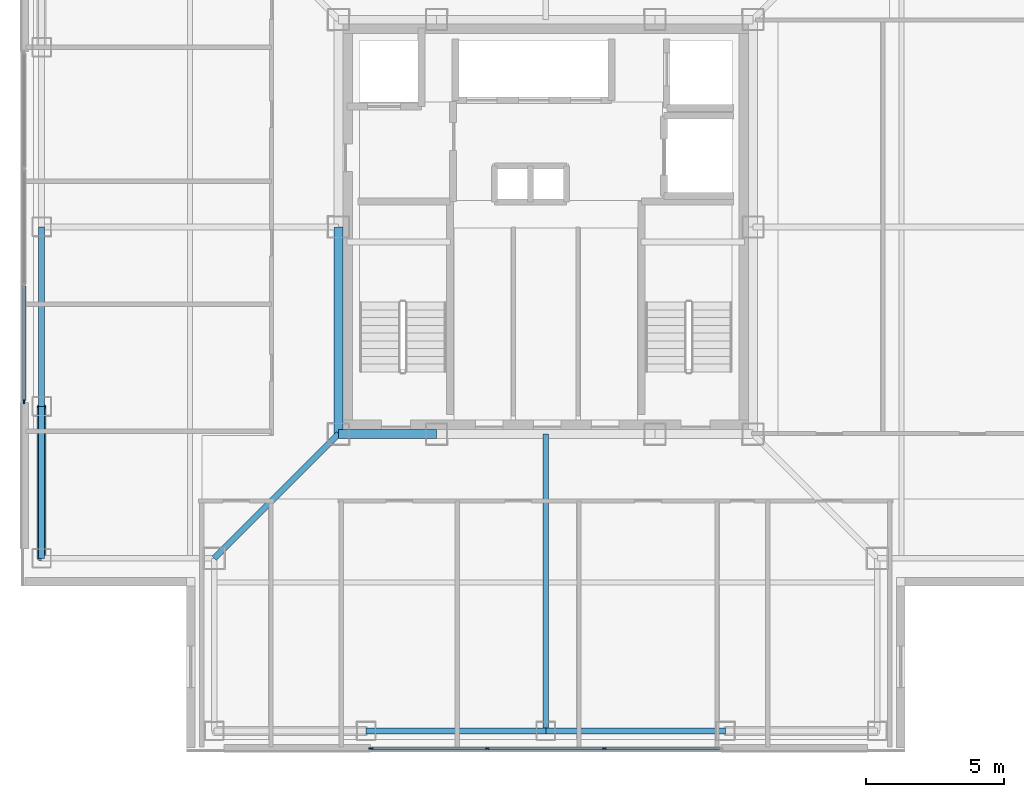
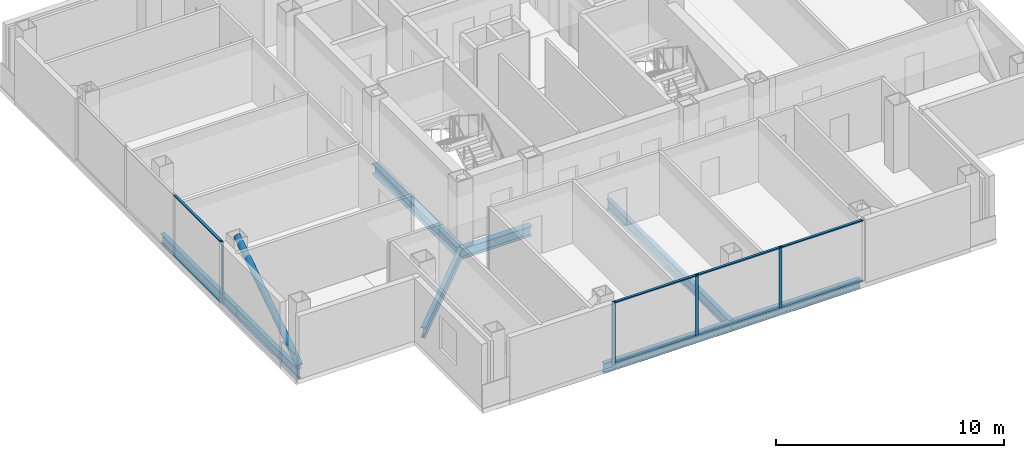
# One storey, part 2 of 16: 13 members, 8 beams, 2 elements without a shape of their own.
"""IFC4 building model written with IfcOpenShell, lengths in metres."""

from ifc_helpers import new_model, si_unit, direction, frame, origin, origin_2d, place, context, subcontext, project, spatial, rectangle, hollow_circle, i_section, extrude, material, layer, layer_set, material_profile, profile_set, type_object, element, aggregate, save


model = new_model("IFC4")

# Units and contexts
model_context = context("Model", 3, precision=1e-05, world=origin(), true_north=direction((0.0, 1.0)))
body_context = subcontext(model_context, "Body", "Model", "MODEL_VIEW")
ifc_project = project(units=[si_unit("LENGTHUNIT", "METRE"), si_unit("AREAUNIT", "SQUARE_METRE"), si_unit("VOLUMEUNIT", "CUBIC_METRE"), si_unit("PLANEANGLEUNIT", "RADIAN"), si_unit("MASSUNIT", "GRAM", prefix="KILO")], contexts=[model_context])

# Site, building, storey
site_placement = place(None, origin())
site = spatial("IfcSite", under=ifc_project, at=site_placement, CompositionType="ELEMENT")
building_placement = place(site_placement, origin())
building = spatial("IfcBuilding", under=site, at=building_placement, Name="Trevonay Congress Spire", CompositionType="ELEMENT")
storey_placement = place(building_placement, frame((0.0, 0.0, 236.0)))
storey = spatial("IfcBuildingStorey", under=building, at=storey_placement, Name="L61", CompositionType="ELEMENT", Elevation=236.0)

# Beams
ifc_material_1 = material(Name="Steel ASTM A572 Grade 50", Category="steel")
ifc_material_profile_1 = material_profile(ifc_material_1, i_section(OverallWidth=0.2119140625, OverallDepth=0.5439453125, WebThickness=0.01318359375, FlangeThickness=0.021240234375, FilletRadius=0.014892578125, at=origin_2d()), Name="W530x123")
ifc_profile_set_1 = profile_set([ifc_material_profile_1], Name="Steel ASTM A572 Grade 50")
beam_type_1 = type_object("IfcBeamType", Name="BM-GIRD-W530X123", PredefinedType="BEAM", material=ifc_profile_set_1)
beam_1_placement = place(storey_placement, frame((-7.5, -7.5, -0.511962890625), z_axis=(-0.707106781187, -0.707106781187, 0.0), x_axis=(0.707106781187, -0.707106781187, 0.0)))
element("IfcBeam", 1, at=beam_1_placement, inside=storey, type_object=beam_type_1, Name="L61 structural beam BM-L61-CDSW", PredefinedType="BEAM", context=body_context, shape_type="SweptSolid", body=[
    extrude(i_section(OverallWidth=0.2119140625, OverallDepth=0.5439453125, WebThickness=0.01318359375, FlangeThickness=0.021240234375, FilletRadius=0.014892578125, at=origin_2d()), origin(), (0.0, 0.0, 1.0), 6.364013671875),
])
beam_2_placement = place(storey_placement, frame((0.0, -7.5, -0.511962890625), z_axis=(0.0, -1.0, 0.0), x_axis=(1.0, 0.0, 0.0)))
element("IfcBeam", 2, at=beam_2_placement, inside=storey, type_object=beam_type_1, Name="L61 structural beam BM-L61-GC-S", PredefinedType="BEAM", context=body_context, shape_type="SweptSolid", body=[
    extrude(i_section(OverallWidth=0.2119140625, OverallDepth=0.5439453125, WebThickness=0.01318359375, FlangeThickness=0.021240234375, FilletRadius=0.014892578125, at=origin_2d()), origin(), (0.0, 0.0, 1.0), 10.75),
])
ifc_material_profile_2 = material_profile(ifc_material_1, i_section(OverallWidth=0.31201171875, OverallDepth=0.54296875, WebThickness=0.0126953125, FlangeThickness=0.020263671875, FilletRadius=0.014892578125, at=origin_2d()), Name="W530x150")
ifc_profile_set_2 = profile_set([ifc_material_profile_2], Name="Steel ASTM A572 Grade 50")
beam_type_2 = type_object("IfcBeamType", Name="BM-GIRD-W530X150", PredefinedType="BEAM", material=ifc_profile_set_2)
beam_3_placement = place(storey_placement, frame((-7.5, -7.5, -0.511474609375), z_axis=(1.0, 0.0, 0.0), x_axis=(0.0, 1.0, 0.0)))
element("IfcBeam", 3, at=beam_3_placement, inside=storey, type_object=beam_type_2, Name="L61 structural beam BM-L61-CR-S1", PredefinedType="BEAM", context=body_context, shape_type="SweptSolid", body=[
    extrude(i_section(OverallWidth=0.31201171875, OverallDepth=0.54296875, WebThickness=0.0126953125, FlangeThickness=0.020263671875, FilletRadius=0.014892578125, at=origin_2d()), origin(), (0.0, 0.0, 1.0), 3.550048828125),
])
beam_4_placement = place(storey_placement, frame((-7.5, -7.5, -0.511474609375), z_axis=(0.0, 1.0, 0.0), x_axis=(-1.0, 0.0, 0.0)))
element("IfcBeam", 4, at=beam_4_placement, inside=storey, type_object=beam_type_2, Name="L61 structural beam BM-L61-CR-W1", PredefinedType="BEAM", context=body_context, shape_type="SweptSolid", body=[
    extrude(i_section(OverallWidth=0.31201171875, OverallDepth=0.54296875, WebThickness=0.0126953125, FlangeThickness=0.020263671875, FilletRadius=0.014892578125, at=origin_2d()), origin(), (0.0, 0.0, 1.0), 7.5),
])
ifc_material_profile_3 = material_profile(ifc_material_1, i_section(OverallWidth=0.208984375, OverallDepth=0.532958984375, WebThickness=0.01025390625, FlangeThickness=0.015625, FilletRadius=0.014892578125, at=origin_2d()), Name="W530x92")
ifc_profile_set_3 = profile_set([ifc_material_profile_3], Name="Steel ASTM A572 Grade 50")
beam_type_3 = type_object("IfcBeamType", Name="BM-RING-W530X92", PredefinedType="BEAM", material=ifc_profile_set_3)
beam_5_placement = place(storey_placement, frame((-18.25, -12.0, -0.506591796875), z_axis=(0.0, 1.0, 0.0), x_axis=(-1.0, 0.0, 0.0)))
element("IfcBeam", 5, at=beam_5_placement, inside=storey, type_object=beam_type_3, Name="L61 structural beam BM-L61-PW1", PredefinedType="BEAM", context=body_context, shape_type="SweptSolid", body=[
    extrude(i_section(OverallWidth=0.208984375, OverallDepth=0.532958984375, WebThickness=0.01025390625, FlangeThickness=0.015625, FilletRadius=0.014892578125, at=origin_2d()), origin(), (0.0, 0.0, 1.0), 5.5),
])
for number, where, z_axis, x_axis, name in (
    (6, (-6.5, -18.25, -0.506591796875), (1.0, 0.0, 0.0), (0.0, 1.0, 0.0), "L61 structural beam BM-L61-PS2"),
    (7, (-18.25, -6.5, -0.506591796875), (0.0, 1.0, 0.0), (-1.0, 0.0, 0.0), "L61 structural beam BM-L61-PW2"),
    (8, (0.0, -18.25, -0.506591796875), (1.0, 0.0, 0.0), (0.0, 1.0, 0.0), "L61 structural beam BM-L61-PS3"),
):
    element("IfcBeam", number, at=place(storey_placement, frame(where, z_axis=z_axis, x_axis=x_axis)), inside=storey, type_object=beam_type_3, Name=name, PredefinedType="BEAM", context=body_context, shape_type="SweptSolid", body=[
        extrude(i_section(OverallWidth=0.208984375, OverallDepth=0.532958984375, WebThickness=0.01025390625, FlangeThickness=0.015625, FilletRadius=0.014892578125, at=origin_2d()), origin(), (0.0, 0.0, 1.0), 6.5),
    ])

# Curtain wall, members
ifc_material_2 = material(Name="Pale Anodised Aluminium EN AW-6063-T6", Category="aluminium")
ifc_layer = layer(ifc_material_2, 0.1650390625, Name="Pale Anodised Aluminium EN AW-6063-T6")
ifc_layer_set = layer_set([ifc_layer], Name="Pale Anodised Aluminium EN AW-6063-T6")
curtain_wall_type = type_object("IfcCurtainWallType", Name="CW-SYS05-DIPLOM-PALE-METAL", PredefinedType="NOTDEFINED", material=ifc_layer_set)
curtain_wall_1_placement = place(storey_placement, origin())
curtain_wall_1 = element("IfcCurtainWall", 9, at=curtain_wall_1_placement, inside=storey, type_object=curtain_wall_type, Name="L61 S unitised curtain wall", PredefinedType="NOTDEFINED")
ifc_material_profile_4 = material_profile(ifc_material_2, rectangle(XDim=0.06005859375, YDim=0.159912109375, at=origin_2d()), Name="CW-MULLION-160-ALUMINIUM")
ifc_profile_set_4 = profile_set([ifc_material_profile_4], Name="Pale Anodised Aluminium EN AW-6063-T6")
member_type_1 = type_object("IfcMemberType", Name="CW-MULLION-160-ALUMINIUM", PredefinedType="MULLION", material=ifc_profile_set_4)
member_1_placement = place(storey_placement, frame((-6.320068359375, -18.8798828125, 0.0), z_axis=(0.0, 0.0, 1.0), x_axis=(0.0, 1.0, 0.0)))
member_1 = element("IfcMember", 10, at=member_1_placement, type_object=member_type_1, Name="CW05 mullion 1", PredefinedType="MULLION", context=body_context, shape_type="SweptSolid", body=[
    extrude(rectangle(XDim=0.06005859375, YDim=0.159912109375, at=origin_2d()), origin(), (0.0, 0.0, 1.0), 3.360107421875),
])
member_2_placement = place(storey_placement, frame((-2.11669921875, -18.8798828125, 0.0), z_axis=(0.0, 0.0, 1.0), x_axis=(0.0, 1.0, 0.0)))
member_2 = element("IfcMember", 11, at=member_2_placement, type_object=member_type_1, Name="CW05 mullion 2", PredefinedType="MULLION", context=body_context, shape_type="SweptSolid", body=[
    extrude(rectangle(XDim=0.06005859375, YDim=0.159912109375, at=origin_2d()), origin(), (0.0, 0.0, 1.0), 3.360107421875),
])
member_3_placement = place(storey_placement, frame((2.11669921875, -18.8798828125, 0.0), z_axis=(0.0, 0.0, 1.0), x_axis=(0.0, 1.0, 0.0)))
member_3 = element("IfcMember", 12, at=member_3_placement, type_object=member_type_1, Name="CW05 mullion 3", PredefinedType="MULLION", context=body_context, shape_type="SweptSolid", body=[
    extrude(rectangle(XDim=0.06005859375, YDim=0.159912109375, at=origin_2d()), origin(), (0.0, 0.0, 1.0), 3.360107421875),
])

# Curtain wall, member
curtain_wall_2_placement = place(storey_placement, origin())
curtain_wall_2 = element("IfcCurtainWall", 13, at=curtain_wall_2_placement, inside=storey, type_object=curtain_wall_type, Name="L61 W unitised curtain wall", PredefinedType="NOTDEFINED")
member_4_placement = place(storey_placement, frame((-18.8798828125, -6.320068359375, 0.0), z_axis=(0.0, 0.0, 1.0), x_axis=(-1.0, 0.0, 0.0)))
member_4 = element("IfcMember", 14, at=member_4_placement, type_object=member_type_1, Name="CW05 mullion 1", PredefinedType="MULLION", context=body_context, shape_type="SweptSolid", body=[
    extrude(rectangle(XDim=0.06005859375, YDim=0.159912109375, at=origin_2d()), origin(), (0.0, 0.0, 1.0), 3.360107421875),
])

# Member
ifc_material_profile_5 = material_profile(ifc_material_2, rectangle(XDim=0.1201171875, YDim=0.06005859375, at=origin_2d()), Name="CW-TRANSOM-120-ALUMINIUM")
ifc_profile_set_5 = profile_set([ifc_material_profile_5], Name="Pale Anodised Aluminium EN AW-6063-T6")
member_type_2 = type_object("IfcMemberType", Name="CW-TRANSOM-120-ALUMINIUM", PredefinedType="USERDEFINED", material=ifc_profile_set_5)
member_5_placement = place(storey_placement, frame((-6.2900390625, -18.8798828125, 0.06005859375), z_axis=(1.0, 0.0, 0.0), x_axis=(0.0, 1.0, 0.0)))
member_5 = element("IfcMember", 15, at=member_5_placement, type_object=member_type_2, Name="CW05 transom 1.1", ObjectType="TRANSOM", PredefinedType="USERDEFINED", context=body_context, shape_type="SweptSolid", body=[
    extrude(rectangle(XDim=0.1201171875, YDim=0.06005859375, at=origin_2d()), origin(), (0.0, 0.0, 1.0), 4.143310546875),
])

member_6_placement = place(storey_placement, frame((-6.2900390625, -18.8798828125, 3.300048828125), z_axis=(1.0, 0.0, 0.0), x_axis=(0.0, 1.0, 0.0)))
member_6 = element("IfcMember", 16, at=member_6_placement, type_object=member_type_2, Name="CW05 transom 1.2", ObjectType="TRANSOM", PredefinedType="USERDEFINED", context=body_context, shape_type="SweptSolid", body=[
    extrude(rectangle(XDim=0.1201171875, YDim=0.06005859375, at=origin_2d()), origin(), (0.0, 0.0, 1.0), 4.143310546875),
])

member_7_placement = place(storey_placement, frame((-2.086669921875, -18.8798828125, 0.06005859375), z_axis=(1.0, 0.0, 0.0), x_axis=(0.0, 1.0, 0.0)))
member_7 = element("IfcMember", 17, at=member_7_placement, type_object=member_type_2, Name="CW05 transom 2.1", ObjectType="TRANSOM", PredefinedType="USERDEFINED", context=body_context, shape_type="SweptSolid", body=[
    extrude(rectangle(XDim=0.1201171875, YDim=0.06005859375, at=origin_2d()), origin(), (0.0, 0.0, 1.0), 4.17333984375),
])

member_8_placement = place(storey_placement, frame((-2.086669921875, -18.8798828125, 3.300048828125), z_axis=(1.0, 0.0, 0.0), x_axis=(0.0, 1.0, 0.0)))
member_8 = element("IfcMember", 18, at=member_8_placement, type_object=member_type_2, Name="CW05 transom 2.2", ObjectType="TRANSOM", PredefinedType="USERDEFINED", context=body_context, shape_type="SweptSolid", body=[
    extrude(rectangle(XDim=0.1201171875, YDim=0.06005859375, at=origin_2d()), origin(), (0.0, 0.0, 1.0), 4.17333984375),
])

member_9_placement = place(storey_placement, frame((2.146728515625, -18.8798828125, 0.06005859375), z_axis=(1.0, 0.0, 0.0), x_axis=(0.0, 1.0, 0.0)))
member_9 = element("IfcMember", 19, at=member_9_placement, type_object=member_type_2, Name="CW05 transom 3.1", ObjectType="TRANSOM", PredefinedType="USERDEFINED", context=body_context, shape_type="SweptSolid", body=[
    extrude(rectangle(XDim=0.1201171875, YDim=0.06005859375, at=origin_2d()), origin(), (0.0, 0.0, 1.0), 4.143310546875),
])

member_10_placement = place(storey_placement, frame((2.146728515625, -18.8798828125, 3.300048828125), z_axis=(1.0, 0.0, 0.0), x_axis=(0.0, 1.0, 0.0)))
member_10 = element("IfcMember", 20, at=member_10_placement, type_object=member_type_2, Name="CW05 transom 3.2", ObjectType="TRANSOM", PredefinedType="USERDEFINED", context=body_context, shape_type="SweptSolid", body=[
    extrude(rectangle(XDim=0.1201171875, YDim=0.06005859375, at=origin_2d()), origin(), (0.0, 0.0, 1.0), 4.143310546875),
])

aggregate(curtain_wall_1, [member_1, member_2, member_3, member_5, member_6, member_7, member_8, member_9, member_10])

member_11_placement = place(storey_placement, frame((-18.8798828125, -6.2900390625, 0.06005859375), z_axis=(0.0, 1.0, 0.0), x_axis=(-1.0, 0.0, 0.0)))
member_11 = element("IfcMember", 21, at=member_11_placement, type_object=member_type_2, Name="CW05 transom 1.1", ObjectType="TRANSOM", PredefinedType="USERDEFINED", context=body_context, shape_type="SweptSolid", body=[
    extrude(rectangle(XDim=0.1201171875, YDim=0.06005859375, at=origin_2d()), origin(), (0.0, 0.0, 1.0), 4.143310546875),
])

member_12_placement = place(storey_placement, frame((-18.8798828125, -6.2900390625, 3.300048828125), z_axis=(0.0, 1.0, 0.0), x_axis=(-1.0, 0.0, 0.0)))
member_12 = element("IfcMember", 22, at=member_12_placement, type_object=member_type_2, Name="CW05 transom 1.2", ObjectType="TRANSOM", PredefinedType="USERDEFINED", context=body_context, shape_type="SweptSolid", body=[
    extrude(rectangle(XDim=0.1201171875, YDim=0.06005859375, at=origin_2d()), origin(), (0.0, 0.0, 1.0), 4.143310546875),
])

aggregate(curtain_wall_2, [member_4, member_11, member_12])

ifc_material_3 = material(Name="Steel ASTM A500 Grade C", Category="steel")
ifc_material_profile_6 = material_profile(ifc_material_3, hollow_circle(Radius=0.161865234375, WallThickness=0.01611328125, at=origin_2d()), Name="CHS 323.9x16")
ifc_profile_set_6 = profile_set([ifc_material_profile_6], Name="Steel ASTM A500 Grade C")
member_type_3 = type_object("IfcMemberType", Name="MBR-TUBE-CHS324", PredefinedType="BRACE", material=ifc_profile_set_6)
member_13_placement = place(storey_placement, frame((-18.25, -12.0, -0.050048828125), z_axis=(0.0, 0.836694709366, 0.547669574943), x_axis=(-1.0, 0.0, 0.0)))
element("IfcMember", 23, at=member_13_placement, inside=storey, type_object=member_type_3, Name="L61 perimeter braced-tube diagonal W0", PredefinedType="BRACE", context=body_context, shape_type="SweptSolid", body=[
    extrude(hollow_circle(Radius=0.161865234375, WallThickness=0.01611328125, at=origin_2d()), origin(), (0.0, 0.0, 1.0), 6.573486328125),
])

save(model, "model.ifc")
